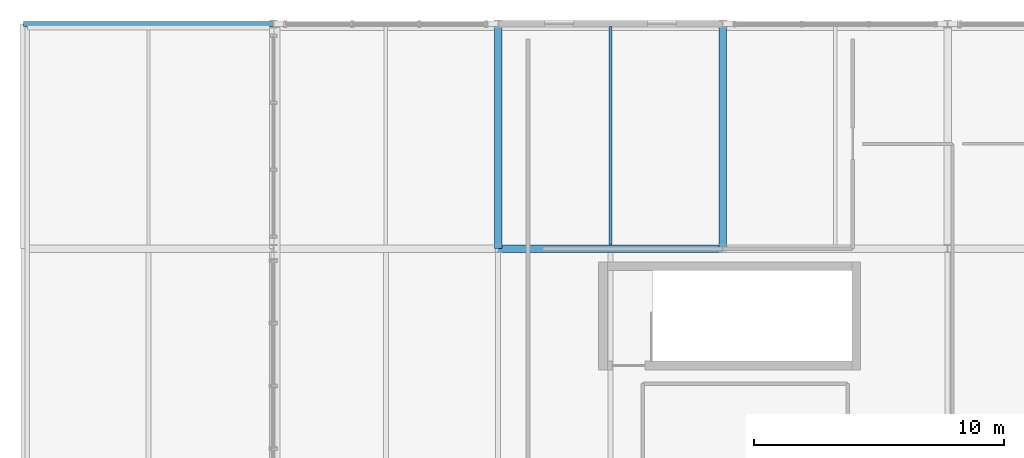
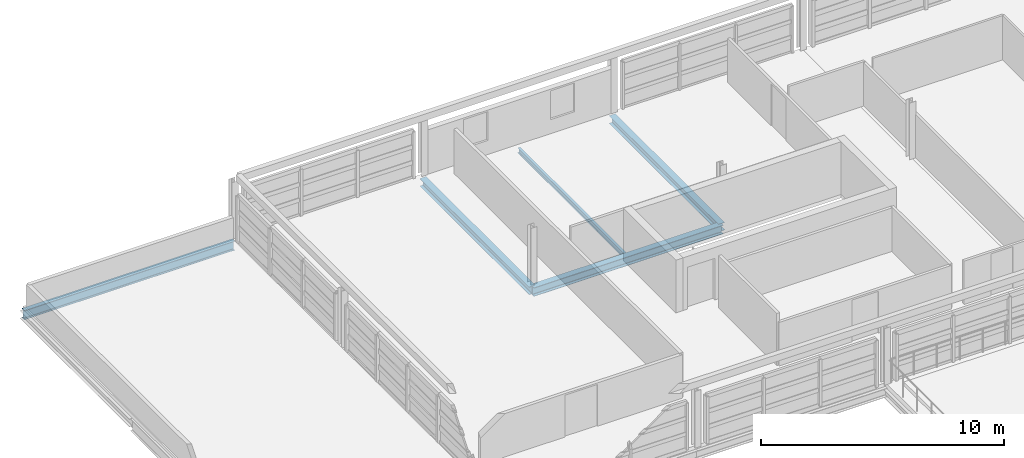
# One storey, part 15 of 27: 5 beams.
"""IFC4 building model written with IfcOpenShell, lengths in metres."""

from ifc_helpers import new_model, si_unit, direction, frame, origin, origin_2d, place, context, subcontext, project, spatial, i_section, extrude, material, material_profile, profile_set, type_object, element, save


model = new_model("IFC4")

# Units and contexts
model_context = context("Model", 3, precision=1e-05, world=origin(), true_north=direction((0.0, 1.0)))
body_context = subcontext(model_context, "Body", "Model", "MODEL_VIEW")
ifc_project = project(units=[si_unit("LENGTHUNIT", "METRE"), si_unit("AREAUNIT", "SQUARE_METRE"), si_unit("VOLUMEUNIT", "CUBIC_METRE"), si_unit("PLANEANGLEUNIT", "RADIAN"), si_unit("MASSUNIT", "GRAM", prefix="KILO")], contexts=[model_context])

# Site, building, storey
site_placement = place(None, origin())
site = spatial("IfcSite", under=ifc_project, at=site_placement, CompositionType="ELEMENT")
building_placement = place(site_placement, origin())
building = spatial("IfcBuilding", under=site, at=building_placement, Name="Chuanluo Vaults Station", CompositionType="ELEMENT")
storey_placement = place(building_placement, frame((0.0, 0.0, 20.800048828125)))
storey = spatial("IfcBuildingStorey", under=building, at=storey_placement, Name="L05", CompositionType="ELEMENT", Elevation=20.800048828125)

# Beams
ifc_material_1 = material(Name="Steel Q355C", Category="steel")
ifc_material_profile_1 = material_profile(ifc_material_1, i_section(OverallWidth=0.300048828125, OverallDepth=0.389892578125, WebThickness=0.010009765625, FlangeThickness=0.01611328125, FilletRadius=0.02001953125, at=origin_2d()))
ifc_profile_set_1 = profile_set([ifc_material_profile_1], Name="Steel Q355C")
beam_type_1 = type_object("IfcBeamType", Name="BM-GRD-400", PredefinedType="BEAM", material=ifc_profile_set_1)
for number, where, z_axis, x_axis, name in (
    (1, (145.0, 117.0, -0.375), (0.0, 1.0, 0.0), (-1.0, 0.0, 0.0), "Floor girder BM:GY:L05:0990"),
    (2, (154.0, 117.0, -0.375), (0.0, 1.0, 0.0), (-1.0, 0.0, 0.0), "Floor girder BM:GY:L05:0995"),
):
    element("IfcBeam", number, at=place(storey_placement, frame(where, z_axis=z_axis, x_axis=x_axis)), inside=storey, type_object=beam_type_1, Name=name, PredefinedType="BEAM", context=body_context, shape_type="SweptSolid", body=[
        extrude(i_section(OverallWidth=0.300048828125, OverallDepth=0.389892578125, WebThickness=0.010009765625, FlangeThickness=0.01611328125, FilletRadius=0.02001953125, at=origin_2d()), origin(), (0.0, 0.0, 1.0), 9.0),
    ])
ifc_material_2 = material(Name="Steel Q355C", Category="steel")
ifc_material_profile_2 = material_profile(ifc_material_2, i_section(OverallWidth=0.300048828125, OverallDepth=0.43994140625, WebThickness=0.010986328125, FlangeThickness=0.01806640625, FilletRadius=0.02001953125, at=origin_2d()))
ifc_profile_set_2 = profile_set([ifc_material_profile_2], Name="Steel Q355C")
beam_type_2 = type_object("IfcBeamType", Name="BM-GRD-450", PredefinedType="USERDEFINED", material=ifc_profile_set_2)
beam_1_placement = place(storey_placement, frame((145.0, 117.0, -0.400146484375), z_axis=(1.0, 0.0, 0.0), x_axis=(0.0, 1.0, 0.0)))
element("IfcBeam", 3, at=beam_1_placement, inside=storey, type_object=beam_type_2, Name="Floor girder BM:GX:L05:0974", ObjectType="GIRDER", PredefinedType="USERDEFINED", context=body_context, shape_type="SweptSolid", body=[
    extrude(i_section(OverallWidth=0.300048828125, OverallDepth=0.43994140625, WebThickness=0.010986328125, FlangeThickness=0.01806640625, FilletRadius=0.02001953125, at=origin_2d()), origin(), (0.0, 0.0, 1.0), 9.0),
])
ifc_material_3 = material(Name="Steel Q355C", Category="steel")
ifc_material_profile_3 = material_profile(ifc_material_3, i_section(OverallWidth=0.125, OverallDepth=0.25, WebThickness=0.006103515625, FlangeThickness=0.009033203125, FilletRadius=0.011962890625, at=origin_2d()))
ifc_profile_set_3 = profile_set([ifc_material_profile_3], Name="Steel Q355C")
beam_type_3 = type_object("IfcBeamType", Name="BM-SEC-250", PredefinedType="JOIST", material=ifc_profile_set_3)
beam_2_placement = place(storey_placement, frame((149.5, 117.155029296875, -0.304931640625), z_axis=(0.0, 1.0, 0.0), x_axis=(-1.0, 0.0, 0.0)))
element("IfcBeam", 4, at=beam_2_placement, inside=storey, type_object=beam_type_3, Name="Composite secondary joist 0299", PredefinedType="JOIST", context=body_context, shape_type="SweptSolid", body=[
    extrude(i_section(OverallWidth=0.125, OverallDepth=0.25, WebThickness=0.006103515625, FlangeThickness=0.009033203125, FilletRadius=0.011962890625, at=origin_2d()), origin(), (0.0, 0.0, 1.0), 8.737548828125),
])
ifc_material_4 = material(Name="Steel Q355C", Category="steel")
ifc_material_profile_4 = material_profile(ifc_material_4, i_section(OverallWidth=0.205078125, OverallDepth=0.4599609375, WebThickness=0.009033203125, FlangeThickness=0.013916015625, FilletRadius=0.01611328125, at=origin_2d()))
ifc_profile_set_4 = profile_set([ifc_material_profile_4], Name="Steel Q355C")
beam_type_4 = type_object("IfcBeamType", Name="BM-SPN-450", PredefinedType="SPANDREL", material=ifc_profile_set_4)
beam_3_placement = place(storey_placement, frame((126.0, 126.0, -0.39501953125), z_axis=(1.0, 0.0, 0.0), x_axis=(0.0, 1.0, 0.0)))
element("IfcBeam", 5, at=beam_3_placement, inside=storey, type_object=beam_type_4, Name="Floor girder BM:GX:L05:0978", PredefinedType="SPANDREL", context=body_context, shape_type="SweptSolid", body=[
    extrude(i_section(OverallWidth=0.205078125, OverallDepth=0.4599609375, WebThickness=0.009033203125, FlangeThickness=0.013916015625, FilletRadius=0.01611328125, at=origin_2d()), origin(), (0.0, 0.0, 1.0), 10.0),
])

save(model, "model.ifc")
